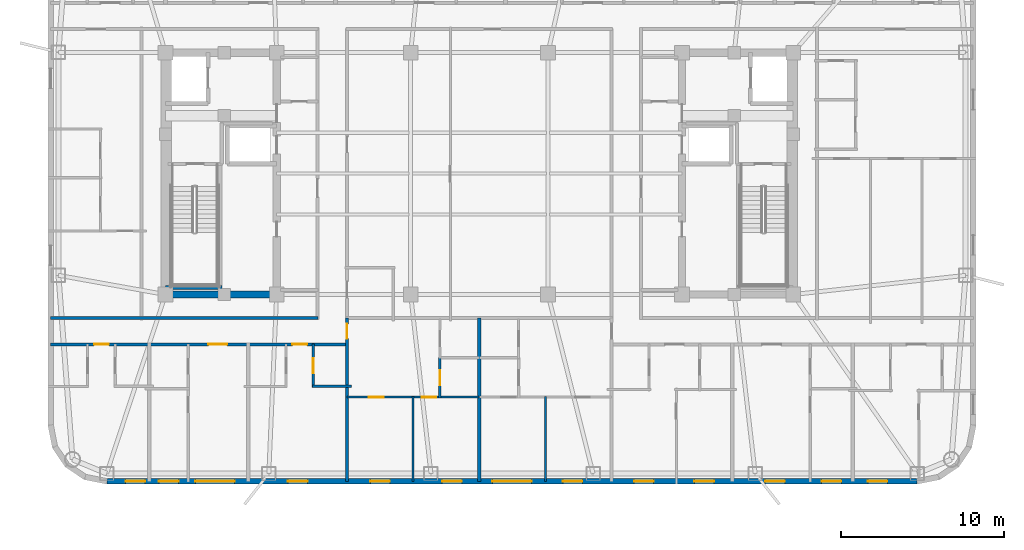
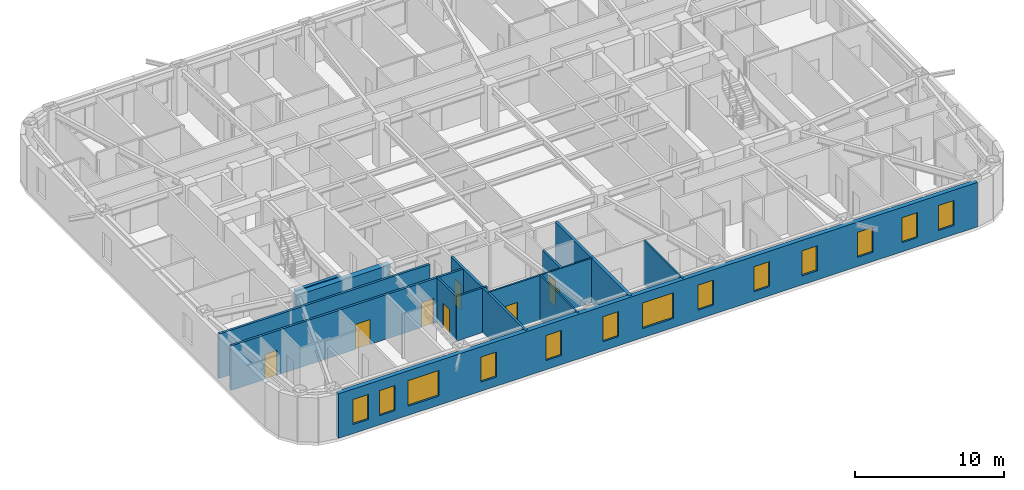
# One storey, part 3 of 11: 13 walls, 13 windows, 8 doors, 21 openings.
"""IFC4 building model written with IfcOpenShell, lengths in metres."""

from ifc_helpers import new_model, si_unit, direction, frame, frame_2d, origin, place, context, subcontext, project, spatial, rectangle, extrude, material, layer, layer_set, type_object, element, fill, save


model = new_model("IFC4")

# Units and contexts
model_context = context("Model", 3, precision=1e-05, world=origin(), true_north=direction((0.0, 1.0)))
body_context = subcontext(model_context, "Body", "Model", "MODEL_VIEW")
ifc_project = project(units=[si_unit("LENGTHUNIT", "METRE"), si_unit("AREAUNIT", "SQUARE_METRE"), si_unit("VOLUMEUNIT", "CUBIC_METRE"), si_unit("PLANEANGLEUNIT", "RADIAN"), si_unit("MASSUNIT", "GRAM", prefix="KILO")], contexts=[model_context])

# Site, building, storey
site_placement = place(None, origin())
site = spatial("IfcSite", under=ifc_project, at=site_placement, CompositionType="ELEMENT")
building_placement = place(site_placement, origin())
building = spatial("IfcBuilding", under=site, at=building_placement, Name="Voryun Gate Residences", CompositionType="ELEMENT")
storey_placement = place(building_placement, frame((0.0, 0.0, 227.5)))
storey = spatial("IfcBuildingStorey", under=building, at=storey_placement, Name="L56", CompositionType="ELEMENT", Elevation=227.5)

# Walls
ifc_material_1 = material(Name="Concrete C50/60", Category="concrete")
ifc_layer_1 = layer(ifc_material_1, 0.449951171875, Name="CW_CORE_450")
ifc_layer_set_1 = layer_set([ifc_layer_1], Name="Concrete C50/60")
wall_type_1 = type_object("IfcWallType", Name="CW_CORE_450", PredefinedType="SHEAR", material=ifc_layer_set_1)
wall_1_placement = place(storey_placement, frame((-19.425048828125, -7.39990234375, 0.0), z_axis=(0.0, 0.0, 1.0), x_axis=(1.0, 0.0, 0.0)))
element("IfcWall", 1, at=wall_1_placement, inside=storey, type_object=wall_type_1, Name="L56 Core shear wall CW-L56-WS", PredefinedType="SHEAR", context=body_context, shape_type="SweptSolid", body=[
    extrude(rectangle(XDim=7.25, YDim=0.449951171875, at=frame_2d((3.625, 0.0))), origin(), (0.0, 0.0, 1.0), 3.64990234375),
])
ifc_material_2 = material(Name="Gypsum acoustic fireboard")
ifc_layer_2 = layer(ifc_material_2, 0.179931640625, Name="W_CORR_RATED_180")
ifc_layer_set_2 = layer_set([ifc_layer_2], Name="Gypsum acoustic fireboard")
wall_type_2 = type_object("IfcWallType", Name="W_CORR_RATED_180", PredefinedType="PARTITIONING", material=ifc_layer_set_2)
wall_2_placement = place(storey_placement, frame((-26.22998046875, -8.840087890625, 0.0), z_axis=(0.0, 0.0, 1.0), x_axis=(1.0, 0.0, 0.0)))
element("IfcWall", 2, at=wall_2_placement, inside=storey, type_object=wall_type_2, Name="Partition wall WP-L56-CWING-WS", PredefinedType="PARTITIONING", context=body_context, shape_type="SweptSolid", body=[
    extrude(rectangle(XDim=16.35009765625, YDim=0.179931640625, at=frame_2d((8.175048828125, 0.0))), origin(), (0.0, 0.0, 1.0), 3.64990234375),
])

# Wall, openings, doors
wall_3_placement = place(storey_placement, frame((-26.22998046875, -10.449951171875, 0.0), z_axis=(0.0, 0.0, 1.0), x_axis=(1.0, 0.0, 0.0)))
wall_3 = element("IfcWall", 3, at=wall_3_placement, inside=storey, type_object=wall_type_2, Name="Partition wall WP-L56-SCORR-W", PredefinedType="PARTITIONING", context=body_context, shape_type="SweptSolid", body=[
    extrude(rectangle(XDim=18.14990234375, YDim=0.179931640625, at=frame_2d((9.074951171875, 0.0))), origin(), (0.0, 0.0, 1.0), 3.64990234375),
])
opening_1_placement = place(wall_3_placement, frame((2.6591796875, 0.0, 0.0)))
opening_1 = element("IfcOpeningElement", 4, at=opening_1_placement, cuts=wall_3, Name="Opening D-INT-2", PredefinedType="OPENING", context=body_context, shape_type="SweptSolid", body=[
    extrude(rectangle(XDim=0.89990234375, YDim=2.050048828125, at=frame_2d((0.449951171875, 1.02490234375))), frame((0.0, 0.099853515625, 0.0), z_axis=(0.0, -1.0, 0.0), x_axis=(1.0, 0.0, 0.0)), (0.0, 0.0, 1.0), 0.199951171875),
])
opening_2_placement = place(wall_3_placement, frame((9.654296875, 0.0, 0.0)))
opening_2 = element("IfcOpeningElement", 5, at=opening_2_placement, cuts=wall_3, Name="Opening D-UNIT-1", PredefinedType="OPENING", context=body_context, shape_type="SweptSolid", body=[
    extrude(rectangle(XDim=1.14990234375, YDim=2.050048828125, at=frame_2d((0.574951171875, 1.02490234375))), frame((0.0, 0.099853515625, 0.0), z_axis=(0.0, -1.0, 0.0), x_axis=(1.0, 0.0, 0.0)), (0.0, 0.0, 1.0), 0.199951171875),
])
opening_3_placement = place(wall_3_placement, frame((14.79248046875, 0.0, 0.0)))
opening_3 = element("IfcOpeningElement", 6, at=opening_3_placement, cuts=wall_3, Name="Opening D-INT-2", PredefinedType="OPENING", context=body_context, shape_type="SweptSolid", body=[
    extrude(rectangle(XDim=0.89990234375, YDim=2.050048828125, at=frame_2d((0.449951171875, 1.02490234375))), frame((0.0, 0.099853515625, 0.0), z_axis=(0.0, -1.0, 0.0), x_axis=(1.0, 0.0, 0.0)), (0.0, 0.0, 1.0), 0.199951171875),
])
ifc_material_3 = material(Name="Architectural oak veneer")
door_type_1 = type_object("IfcDoorType", Name="DR_INT_BATH_900", OperationType="NOTDEFINED", PredefinedType="DOOR", material=ifc_material_3)
door_1_placement = place(opening_1_placement, origin())
door_1 = element("IfcDoor", 7, at=door_1_placement, inside=storey, type_object=door_type_1, Name="Door DR-L56-SENT-1", OperationType="SINGLE_SWING_RIGHT", OverallHeight=2.050048828125, OverallWidth=0.89990234375, PredefinedType="DOOR", context=body_context, shape_type="SweptSolid", body=[
    extrude(rectangle(XDim=0.89990234375, YDim=2.050048828125, at=frame_2d((0.449951171875, 1.02490234375))), frame((0.0, 0.02490234375, 0.0), z_axis=(0.0, -1.0, 0.0), x_axis=(1.0, 0.0, 0.0)), (0.0, 0.0, 1.0), 0.050048828125),
])
fill(opening_1, door_1)
door_2_placement = place(opening_3_placement, origin())
door_2 = element("IfcDoor", 8, at=door_2_placement, inside=storey, type_object=door_type_1, Name="Door DR-L56-SENT-3", OperationType="SINGLE_SWING_RIGHT", OverallHeight=2.050048828125, OverallWidth=0.89990234375, PredefinedType="DOOR", context=body_context, shape_type="SweptSolid", body=[
    extrude(rectangle(XDim=0.89990234375, YDim=2.050048828125, at=frame_2d((0.449951171875, 1.02490234375))), frame((0.0, 0.02490234375, 0.0), z_axis=(0.0, -1.0, 0.0), x_axis=(1.0, 0.0, 0.0)), (0.0, 0.0, 1.0), 0.050048828125),
])
fill(opening_3, door_2)
ifc_material_4 = material(Name="Armoured timber-clad fire door", Category="wood")
door_type_2 = type_object("IfcDoorType", Name="DR_UNIT_ENTRY_1150", OperationType="NOTDEFINED", PredefinedType="DOOR", material=ifc_material_4)
door_3_placement = place(opening_2_placement, origin())
door_3 = element("IfcDoor", 9, at=door_3_placement, inside=storey, type_object=door_type_2, Name="Door DR-L56-SENT-2", OperationType="SINGLE_SWING_LEFT", OverallHeight=2.050048828125, OverallWidth=1.14990234375, PredefinedType="DOOR", context=body_context, shape_type="SweptSolid", body=[
    extrude(rectangle(XDim=1.14990234375, YDim=2.050048828125, at=frame_2d((0.574951171875, 1.02490234375))), frame((0.0, 0.02490234375, 0.0), z_axis=(0.0, -1.0, 0.0), x_axis=(1.0, 0.0, 0.0)), (0.0, 0.0, 1.0), 0.050048828125),
])
fill(opening_2, door_3)

# Wall, opening, door
wall_4_placement = place(storey_placement, frame((-8.10009765625, -18.830078125, 0.0), z_axis=(0.0, 0.0, 1.0), x_axis=(0.0, 1.0, 0.0)))
wall_4 = element("IfcWall", 10, at=wall_4_placement, inside=storey, type_object=wall_type_2, Name="Partition wall WP-L56-SZV-1", PredefinedType="PARTITIONING", context=body_context, shape_type="SweptSolid", body=[
    extrude(rectangle(XDim=9.989990234375, YDim=0.179931640625, at=frame_2d((4.9951171875, 0.0))), origin(), (0.0, 0.0, 1.0), 3.64990234375),
])
opening_4_placement = place(wall_4_placement, frame((8.73974609375, 0.0, 0.0)))
opening_4 = element("IfcOpeningElement", 11, at=opening_4_placement, cuts=wall_4, Name="Opening D-INT-2", PredefinedType="OPENING", context=body_context, shape_type="SweptSolid", body=[
    extrude(rectangle(XDim=0.89990234375, YDim=2.050048828125, at=frame_2d((0.449951171875, 1.02490234375))), frame((0.0, 0.099853515625, 0.0), z_axis=(0.0, -1.0, 0.0), x_axis=(1.0, 0.0, 0.0)), (0.0, 0.0, 1.0), 0.199951171875),
])
door_4_placement = place(opening_4_placement, origin())
door_4 = element("IfcDoor", 12, at=door_4_placement, inside=storey, type_object=door_type_1, Name="Door DR-L56-SZENT-1", OperationType="SINGLE_SWING_LEFT", OverallHeight=2.050048828125, OverallWidth=0.89990234375, PredefinedType="DOOR", context=body_context, shape_type="SweptSolid", body=[
    extrude(rectangle(XDim=0.89990234375, YDim=2.050048828125, at=frame_2d((0.449951171875, 1.02490234375))), frame((0.0, 0.02490234375, 0.0), z_axis=(0.0, -1.0, 0.0), x_axis=(1.0, 0.0, 0.0)), (0.0, 0.0, 1.0), 0.050048828125),
])
fill(opening_4, door_4)

# Wall, openings, windows
ifc_material_5 = material(Name="Charcoal terracotta masonry", Category="masonry")
ifc_layer_3 = layer(ifc_material_5, 0.340087890625, Name="W_EXT_TERRACOTTA_340")
ifc_layer_set_3 = layer_set([ifc_layer_3], Name="Charcoal terracotta masonry")
wall_type_3 = type_object("IfcWallType", Name="W_EXT_TERRACOTTA_340", PredefinedType="ELEMENTEDWALL", material=ifc_layer_set_3)
wall_5_placement = place(storey_placement, frame((26.783203125, -18.830078125, 0.0), z_axis=(0.0, 0.0, 1.0), x_axis=(-1.0, 0.0, 0.0)))
wall_5 = element("IfcWall", 13, at=wall_5_placement, inside=storey, type_object=wall_type_3, Name="Exterior wall WEXT-L56-01", PredefinedType="ELEMENTEDWALL", context=body_context, shape_type="SweptSolid", body=[
    extrude(rectangle(XDim=49.56640625, YDim=0.340087890625, at=frame_2d((24.783203125, 0.0))), origin(), (0.0, 0.0, 1.0), 3.64990234375),
])
opening_5_placement = place(wall_5_placement, frame((23.583251953125, 0.0, 0.75)))
opening_5 = element("IfcOpeningElement", 14, at=opening_5_placement, cuts=wall_5, Name="Opening WN2", PredefinedType="OPENING", context=body_context, shape_type="SweptSolid", body=[
    extrude(rectangle(XDim=2.39990234375, YDim=2.10009765625, at=frame_2d((1.199951171875, 1.050048828125))), frame((0.0, 0.179931640625, 0.0), z_axis=(0.0, -1.0, 0.0), x_axis=(1.0, 0.0, 0.0)), (0.0, 0.0, 1.0), 0.360107421875),
])
opening_6_placement = place(wall_5_placement, frame((41.755615234375, 0.0, 0.75)))
opening_6 = element("IfcOpeningElement", 15, at=opening_6_placement, cuts=wall_5, Name="Opening WN2", PredefinedType="OPENING", context=body_context, shape_type="SweptSolid", body=[
    extrude(rectangle(XDim=2.39990234375, YDim=2.10009765625, at=frame_2d((1.199951171875, 1.050048828125))), frame((0.0, 0.179931640625, 0.0), z_axis=(0.0, -1.0, 0.0), x_axis=(1.0, 0.0, 0.0)), (0.0, 0.0, 1.0), 0.360107421875),
])
opening_7_placement = place(wall_5_placement, frame((47.222412109375, 0.0, 0.75)))
opening_7 = element("IfcOpeningElement", 16, at=opening_7_placement, cuts=wall_5, Name="Opening WN6", PredefinedType="OPENING", context=body_context, shape_type="SweptSolid", body=[
    extrude(rectangle(XDim=1.199951171875, YDim=2.050048828125, at=frame_2d((0.60009765625, 1.02490234375))), frame((0.0, 0.179931640625, 0.0), z_axis=(0.0, -1.0, 0.0), x_axis=(1.0, 0.0, 0.0)), (0.0, 0.0, 1.0), 0.360107421875),
])
opening_8_placement = place(wall_5_placement, frame((45.181396484375, 0.0, 0.75)))
opening_8 = element("IfcOpeningElement", 17, at=opening_8_placement, cuts=wall_5, Name="Opening WN6", PredefinedType="OPENING", context=body_context, shape_type="SweptSolid", body=[
    extrude(rectangle(XDim=1.199951171875, YDim=2.050048828125, at=frame_2d((0.60009765625, 1.02490234375))), frame((0.0, 0.179931640625, 0.0), z_axis=(0.0, -1.0, 0.0), x_axis=(1.0, 0.0, 0.0)), (0.0, 0.0, 1.0), 0.360107421875),
])
opening_9_placement = place(wall_5_placement, frame((37.289306640625, 0.0, 0.75)))
opening_9 = element("IfcOpeningElement", 18, at=opening_9_placement, cuts=wall_5, Name="Opening WN6", PredefinedType="OPENING", context=body_context, shape_type="SweptSolid", body=[
    extrude(rectangle(XDim=1.199951171875, YDim=2.050048828125, at=frame_2d((0.60009765625, 1.02490234375))), frame((0.0, 0.179931640625, 0.0), z_axis=(0.0, -1.0, 0.0), x_axis=(1.0, 0.0, 0.0)), (0.0, 0.0, 1.0), 0.360107421875),
])
opening_10_placement = place(wall_5_placement, frame((16.115234375, 0.0, 0.75)))
opening_10 = element("IfcOpeningElement", 19, at=opening_10_placement, cuts=wall_5, Name="Opening WN6", PredefinedType="OPENING", context=body_context, shape_type="SweptSolid", body=[
    extrude(rectangle(XDim=1.199951171875, YDim=2.050048828125, at=frame_2d((0.60009765625, 1.02490234375))), frame((0.0, 0.179931640625, 0.0), z_axis=(0.0, -1.0, 0.0), x_axis=(1.0, 0.0, 0.0)), (0.0, 0.0, 1.0), 0.360107421875),
])
opening_11_placement = place(wall_5_placement, frame((12.42236328125, 0.0, 0.75)))
opening_11 = element("IfcOpeningElement", 20, at=opening_11_placement, cuts=wall_5, Name="Opening WN6", PredefinedType="OPENING", context=body_context, shape_type="SweptSolid", body=[
    extrude(rectangle(XDim=1.199951171875, YDim=2.050048828125, at=frame_2d((0.60009765625, 1.02490234375))), frame((0.0, 0.179931640625, 0.0), z_axis=(0.0, -1.0, 0.0), x_axis=(1.0, 0.0, 0.0)), (0.0, 0.0, 1.0), 0.360107421875),
])
opening_12_placement = place(wall_5_placement, frame((8.08984375, 0.0, 0.75)))
opening_12 = element("IfcOpeningElement", 21, at=opening_12_placement, cuts=wall_5, Name="Opening WN6", PredefinedType="OPENING", context=body_context, shape_type="SweptSolid", body=[
    extrude(rectangle(XDim=1.199951171875, YDim=2.050048828125, at=frame_2d((0.60009765625, 1.02490234375))), frame((0.0, 0.179931640625, 0.0), z_axis=(0.0, -1.0, 0.0), x_axis=(1.0, 0.0, 0.0)), (0.0, 0.0, 1.0), 0.360107421875),
])
opening_13_placement = place(wall_5_placement, frame((4.63720703125, 0.0, 0.75)))
opening_13 = element("IfcOpeningElement", 22, at=opening_13_placement, cuts=wall_5, Name="Opening WN6", PredefinedType="OPENING", context=body_context, shape_type="SweptSolid", body=[
    extrude(rectangle(XDim=1.199951171875, YDim=2.050048828125, at=frame_2d((0.60009765625, 1.02490234375))), frame((0.0, 0.179931640625, 0.0), z_axis=(0.0, -1.0, 0.0), x_axis=(1.0, 0.0, 0.0)), (0.0, 0.0, 1.0), 0.360107421875),
])
opening_14_placement = place(wall_5_placement, frame((1.81103515625, 0.0, 0.75)))
opening_14 = element("IfcOpeningElement", 23, at=opening_14_placement, cuts=wall_5, Name="Opening WN6", PredefinedType="OPENING", context=body_context, shape_type="SweptSolid", body=[
    extrude(rectangle(XDim=1.199951171875, YDim=2.050048828125, at=frame_2d((0.60009765625, 1.02490234375))), frame((0.0, 0.179931640625, 0.0), z_axis=(0.0, -1.0, 0.0), x_axis=(1.0, 0.0, 0.0)), (0.0, 0.0, 1.0), 0.360107421875),
])
opening_15_placement = place(wall_5_placement, frame((32.25341796875, 0.0, 0.75)))
opening_15 = element("IfcOpeningElement", 24, at=opening_15_placement, cuts=wall_5, Name="Opening WN6", PredefinedType="OPENING", context=body_context, shape_type="SweptSolid", body=[
    extrude(rectangle(XDim=1.199951171875, YDim=2.050048828125, at=frame_2d((0.60009765625, 1.02490234375))), frame((0.0, 0.179931640625, 0.0), z_axis=(0.0, -1.0, 0.0), x_axis=(1.0, 0.0, 0.0)), (0.0, 0.0, 1.0), 0.360107421875),
])
opening_16_placement = place(wall_5_placement, frame((27.853271484375, 0.0, 0.75)))
opening_16 = element("IfcOpeningElement", 25, at=opening_16_placement, cuts=wall_5, Name="Opening WN6", PredefinedType="OPENING", context=body_context, shape_type="SweptSolid", body=[
    extrude(rectangle(XDim=1.199951171875, YDim=2.050048828125, at=frame_2d((0.60009765625, 1.02490234375))), frame((0.0, 0.179931640625, 0.0), z_axis=(0.0, -1.0, 0.0), x_axis=(1.0, 0.0, 0.0)), (0.0, 0.0, 1.0), 0.360107421875),
])
opening_17_placement = place(wall_5_placement, frame((20.473388671875, 0.0, 0.75)))
opening_17 = element("IfcOpeningElement", 26, at=opening_17_placement, cuts=wall_5, Name="Opening WN6", PredefinedType="OPENING", context=body_context, shape_type="SweptSolid", body=[
    extrude(rectangle(XDim=1.199951171875, YDim=2.050048828125, at=frame_2d((0.60009765625, 1.02490234375))), frame((0.0, 0.179931640625, 0.0), z_axis=(0.0, -1.0, 0.0), x_axis=(1.0, 0.0, 0.0)), (0.0, 0.0, 1.0), 0.360107421875),
])
ifc_material_6 = material(Name="Laminated low-E glass", Category="glass")
window_type_1 = type_object("IfcWindowType", Name="WN_POD_SLOT_1200", PartitioningType="SINGLE_PANEL", PredefinedType="WINDOW", material=ifc_material_6)
window_1_placement = place(opening_7_placement, origin())
window_1 = element("IfcWindow", 27, at=window_1_placement, inside=storey, type_object=window_type_1, Name="Window WN-L56-DWFIX-14", OverallHeight=2.050048828125, OverallWidth=1.199951171875, PartitioningType="SINGLE_PANEL", PredefinedType="WINDOW", context=body_context, shape_type="SweptSolid", body=[
    extrude(rectangle(XDim=1.199951171875, YDim=2.050048828125, at=frame_2d((0.60009765625, 1.02490234375))), frame((0.0, 0.030029296875, 0.0), z_axis=(0.0, -1.0, 0.0), x_axis=(1.0, 0.0, 0.0)), (0.0, 0.0, 1.0), 0.06005859375),
])
fill(opening_7, window_1)
window_2_placement = place(opening_8_placement, origin())
window_2 = element("IfcWindow", 28, at=window_2_placement, inside=storey, type_object=window_type_1, Name="Window WN-L56-DWFIX-15", OverallHeight=2.050048828125, OverallWidth=1.199951171875, PartitioningType="SINGLE_PANEL", PredefinedType="WINDOW", context=body_context, shape_type="SweptSolid", body=[
    extrude(rectangle(XDim=1.199951171875, YDim=2.050048828125, at=frame_2d((0.60009765625, 1.02490234375))), frame((0.0, 0.030029296875, 0.0), z_axis=(0.0, -1.0, 0.0), x_axis=(1.0, 0.0, 0.0)), (0.0, 0.0, 1.0), 0.06005859375),
])
fill(opening_8, window_2)
window_3_placement = place(opening_9_placement, origin())
window_3 = element("IfcWindow", 29, at=window_3_placement, inside=storey, type_object=window_type_1, Name="Window WN-L56-DWFIX-16", OverallHeight=2.050048828125, OverallWidth=1.199951171875, PartitioningType="SINGLE_PANEL", PredefinedType="WINDOW", context=body_context, shape_type="SweptSolid", body=[
    extrude(rectangle(XDim=1.199951171875, YDim=2.050048828125, at=frame_2d((0.60009765625, 1.02490234375))), frame((0.0, 0.030029296875, 0.0), z_axis=(0.0, -1.0, 0.0), x_axis=(1.0, 0.0, 0.0)), (0.0, 0.0, 1.0), 0.06005859375),
])
fill(opening_9, window_3)
window_4_placement = place(opening_10_placement, origin())
window_4 = element("IfcWindow", 30, at=window_4_placement, inside=storey, type_object=window_type_1, Name="Window WN-L56-DWFIX-17", OverallHeight=2.050048828125, OverallWidth=1.199951171875, PartitioningType="SINGLE_PANEL", PredefinedType="WINDOW", context=body_context, shape_type="SweptSolid", body=[
    extrude(rectangle(XDim=1.199951171875, YDim=2.050048828125, at=frame_2d((0.60009765625, 1.02490234375))), frame((0.0, 0.030029296875, 0.0), z_axis=(0.0, -1.0, 0.0), x_axis=(1.0, 0.0, 0.0)), (0.0, 0.0, 1.0), 0.06005859375),
])
fill(opening_10, window_4)
window_5_placement = place(opening_11_placement, origin())
window_5 = element("IfcWindow", 31, at=window_5_placement, inside=storey, type_object=window_type_1, Name="Window WN-L56-DWFIX-18", OverallHeight=2.050048828125, OverallWidth=1.199951171875, PartitioningType="SINGLE_PANEL", PredefinedType="WINDOW", context=body_context, shape_type="SweptSolid", body=[
    extrude(rectangle(XDim=1.199951171875, YDim=2.050048828125, at=frame_2d((0.60009765625, 1.02490234375))), frame((0.0, 0.030029296875, 0.0), z_axis=(0.0, -1.0, 0.0), x_axis=(1.0, 0.0, 0.0)), (0.0, 0.0, 1.0), 0.06005859375),
])
fill(opening_11, window_5)
window_6_placement = place(opening_12_placement, origin())
window_6 = element("IfcWindow", 32, at=window_6_placement, inside=storey, type_object=window_type_1, Name="Window WN-L56-DWFIX-19", OverallHeight=2.050048828125, OverallWidth=1.199951171875, PartitioningType="SINGLE_PANEL", PredefinedType="WINDOW", context=body_context, shape_type="SweptSolid", body=[
    extrude(rectangle(XDim=1.199951171875, YDim=2.050048828125, at=frame_2d((0.60009765625, 1.02490234375))), frame((0.0, 0.030029296875, 0.0), z_axis=(0.0, -1.0, 0.0), x_axis=(1.0, 0.0, 0.0)), (0.0, 0.0, 1.0), 0.06005859375),
])
fill(opening_12, window_6)
window_7_placement = place(opening_13_placement, origin())
window_7 = element("IfcWindow", 33, at=window_7_placement, inside=storey, type_object=window_type_1, Name="Window WN-L56-DWFIX-20", OverallHeight=2.050048828125, OverallWidth=1.199951171875, PartitioningType="SINGLE_PANEL", PredefinedType="WINDOW", context=body_context, shape_type="SweptSolid", body=[
    extrude(rectangle(XDim=1.199951171875, YDim=2.050048828125, at=frame_2d((0.60009765625, 1.02490234375))), frame((0.0, 0.030029296875, 0.0), z_axis=(0.0, -1.0, 0.0), x_axis=(1.0, 0.0, 0.0)), (0.0, 0.0, 1.0), 0.06005859375),
])
fill(opening_13, window_7)
window_8_placement = place(opening_14_placement, origin())
window_8 = element("IfcWindow", 34, at=window_8_placement, inside=storey, type_object=window_type_1, Name="Window WN-L56-DWFIX-21", OverallHeight=2.050048828125, OverallWidth=1.199951171875, PartitioningType="SINGLE_PANEL", PredefinedType="WINDOW", context=body_context, shape_type="SweptSolid", body=[
    extrude(rectangle(XDim=1.199951171875, YDim=2.050048828125, at=frame_2d((0.60009765625, 1.02490234375))), frame((0.0, 0.030029296875, 0.0), z_axis=(0.0, -1.0, 0.0), x_axis=(1.0, 0.0, 0.0)), (0.0, 0.0, 1.0), 0.06005859375),
])
fill(opening_14, window_8)
window_9_placement = place(opening_15_placement, origin())
window_9 = element("IfcWindow", 35, at=window_9_placement, inside=storey, type_object=window_type_1, Name="Window WN-L56-DWFIX-23", OverallHeight=2.050048828125, OverallWidth=1.199951171875, PartitioningType="SINGLE_PANEL", PredefinedType="WINDOW", context=body_context, shape_type="SweptSolid", body=[
    extrude(rectangle(XDim=1.199951171875, YDim=2.050048828125, at=frame_2d((0.60009765625, 1.02490234375))), frame((0.0, 0.030029296875, 0.0), z_axis=(0.0, -1.0, 0.0), x_axis=(1.0, 0.0, 0.0)), (0.0, 0.0, 1.0), 0.06005859375),
])
fill(opening_15, window_9)
window_10_placement = place(opening_16_placement, origin())
window_10 = element("IfcWindow", 36, at=window_10_placement, inside=storey, type_object=window_type_1, Name="Window WN-L56-DWFIX-24", OverallHeight=2.050048828125, OverallWidth=1.199951171875, PartitioningType="SINGLE_PANEL", PredefinedType="WINDOW", context=body_context, shape_type="SweptSolid", body=[
    extrude(rectangle(XDim=1.199951171875, YDim=2.050048828125, at=frame_2d((0.60009765625, 1.02490234375))), frame((0.0, 0.030029296875, 0.0), z_axis=(0.0, -1.0, 0.0), x_axis=(1.0, 0.0, 0.0)), (0.0, 0.0, 1.0), 0.06005859375),
])
fill(opening_16, window_10)
window_11_placement = place(opening_17_placement, origin())
window_11 = element("IfcWindow", 37, at=window_11_placement, inside=storey, type_object=window_type_1, Name="Window WN-L56-DWFIX-25", OverallHeight=2.050048828125, OverallWidth=1.199951171875, PartitioningType="SINGLE_PANEL", PredefinedType="WINDOW", context=body_context, shape_type="SweptSolid", body=[
    extrude(rectangle(XDim=1.199951171875, YDim=2.050048828125, at=frame_2d((0.60009765625, 1.02490234375))), frame((0.0, 0.030029296875, 0.0), z_axis=(0.0, -1.0, 0.0), x_axis=(1.0, 0.0, 0.0)), (0.0, 0.0, 1.0), 0.06005859375),
])
fill(opening_17, window_11)
ifc_material_7 = material(Name="Laminated low-E glass", Category="glass")
window_type_2 = type_object("IfcWindowType", Name="WN_RES_WIDE_2400", PartitioningType="SINGLE_PANEL", PredefinedType="WINDOW", material=ifc_material_7)
window_12_placement = place(opening_5_placement, origin())
window_12 = element("IfcWindow", 38, at=window_12_placement, inside=storey, type_object=window_type_2, Name="Window WN-WEXT-L56-01-02", OverallHeight=2.10009765625, OverallWidth=2.39990234375, PartitioningType="SINGLE_PANEL", PredefinedType="WINDOW", context=body_context, shape_type="SweptSolid", body=[
    extrude(rectangle(XDim=2.39990234375, YDim=2.10009765625, at=frame_2d((1.199951171875, 1.050048828125))), frame((0.0, 0.030029296875, 0.0), z_axis=(0.0, -1.0, 0.0), x_axis=(1.0, 0.0, 0.0)), (0.0, 0.0, 1.0), 0.06005859375),
])
fill(opening_5, window_12)
window_13_placement = place(opening_6_placement, origin())
window_13 = element("IfcWindow", 39, at=window_13_placement, inside=storey, type_object=window_type_2, Name="Window WN-WEXT-L56-01-03", OverallHeight=2.10009765625, OverallWidth=2.39990234375, PartitioningType="SINGLE_PANEL", PredefinedType="WINDOW", context=body_context, shape_type="SweptSolid", body=[
    extrude(rectangle(XDim=2.39990234375, YDim=2.10009765625, at=frame_2d((1.199951171875, 1.050048828125))), frame((0.0, 0.030029296875, 0.0), z_axis=(0.0, -1.0, 0.0), x_axis=(1.0, 0.0, 0.0)), (0.0, 0.0, 1.0), 0.06005859375),
])
fill(opening_6, window_13)

# Walls
ifc_material_8 = material(Name="Concrete C40/50", Category="concrete")
ifc_layer_4 = layer(ifc_material_8, 0.219970703125, Name="W_PARTY_ACOUSTIC_220")
ifc_layer_set_4 = layer_set([ifc_layer_4], Name="Concrete C40/50")
wall_type_4 = type_object("IfcWallType", Name="W_PARTY_ACOUSTIC_220", PredefinedType="PARTITIONING", material=ifc_layer_set_4)
wall_6_placement = place(storey_placement, frame((0.0, -18.830078125, 0.0), z_axis=(0.0, 0.0, 1.0), x_axis=(0.0, 1.0, 0.0)))
element("IfcWall", 40, at=wall_6_placement, inside=storey, type_object=wall_type_4, Name="Partition wall WP-L56-SZMID", PredefinedType="PARTITIONING", context=body_context, shape_type="SweptSolid", body=[
    extrude(rectangle(XDim=9.989990234375, YDim=0.219970703125, at=frame_2d((4.9951171875, 0.0))), origin(), (0.0, 0.0, 1.0), 3.64990234375),
])
ifc_material_9 = material(Name="Concrete C50/60", Category="concrete")
ifc_layer_5 = layer(ifc_material_9, 0.25, Name="W_SHAFT_RC250")
ifc_layer_set_5 = layer_set([ifc_layer_5], Name="Concrete C50/60")
wall_type_5 = type_object("IfcWallType", Name="W_SHAFT_RC250", PredefinedType="SOLIDWALL", material=ifc_layer_set_5)
wall_7_placement = place(storey_placement, frame((-19.199951171875, -6.965087890625, 0.0), z_axis=(0.0, 0.0, 1.0), x_axis=(1.0, 0.0, 0.0)))
element("IfcWall", 41, at=wall_7_placement, inside=storey, type_object=wall_type_5, Name="L56 Stair shaft structural wall W-STS", PredefinedType="SOLIDWALL", context=body_context, shape_type="SweptSolid", body=[
    extrude(rectangle(XDim=3.4599609375, YDim=0.25, at=frame_2d((1.72998046875, 0.0))), origin(), (0.0, 0.0, 1.0), 3.64990234375),
])

# Wall, openings, doors
ifc_material_10 = material(Name="Gypsum acoustic partition")
ifc_layer_6 = layer(ifc_material_10, 0.125, Name="W_UNIT_PART_125")
ifc_layer_set_6 = layer_set([ifc_layer_6], Name="Gypsum acoustic partition")
wall_type_6 = type_object("IfcWallType", Name="W_UNIT_PART_125", PredefinedType="PARTITIONING", material=ifc_layer_set_6)
wall_8_placement = place(storey_placement, frame((-8.080078125, -13.679931640625, 0.0), z_axis=(0.0, 0.0, 1.0), x_axis=(1.0, 0.0, 0.0)))
wall_8 = element("IfcWall", 42, at=wall_8_placement, inside=storey, type_object=wall_type_6, Name="Partition wall WP-L56-SC1-HZ", PredefinedType="PARTITIONING", context=body_context, shape_type="SweptSolid", body=[
    extrude(rectangle(XDim=8.06005859375, YDim=0.125, at=frame_2d((4.030029296875, 0.0))), origin(), (0.0, 0.0, 1.0), 3.64990234375),
])
opening_18_placement = place(wall_8_placement, frame((1.3232421875, 0.0, 0.0)))
opening_18 = element("IfcOpeningElement", 43, at=opening_18_placement, cuts=wall_8, Name="Opening D-INT-2", PredefinedType="OPENING", context=body_context, shape_type="SweptSolid", body=[
    extrude(rectangle(XDim=0.89990234375, YDim=2.050048828125, at=frame_2d((0.449951171875, 1.02490234375))), frame((0.0, 0.072509765625, 0.0), z_axis=(0.0, -1.0, 0.0), x_axis=(1.0, 0.0, 0.0)), (0.0, 0.0, 1.0), 0.14501953125),
])
opening_19_placement = place(wall_8_placement, frame((4.547119140625, 0.0, 0.0)))
opening_19 = element("IfcOpeningElement", 44, at=opening_19_placement, cuts=wall_8, Name="Opening D-INT-2", PredefinedType="OPENING", context=body_context, shape_type="SweptSolid", body=[
    extrude(rectangle(XDim=0.89990234375, YDim=2.050048828125, at=frame_2d((0.449951171875, 1.02490234375))), frame((0.0, 0.072509765625, 0.0), z_axis=(0.0, -1.0, 0.0), x_axis=(1.0, 0.0, 0.0)), (0.0, 0.0, 1.0), 0.14501953125),
])
door_5_placement = place(opening_18_placement, origin())
door_5 = element("IfcDoor", 45, at=door_5_placement, inside=storey, type_object=door_type_1, Name="Door DR-L56-SC1-DMB", OperationType="SINGLE_SWING_LEFT", OverallHeight=2.050048828125, OverallWidth=0.89990234375, PredefinedType="DOOR", context=body_context, shape_type="SweptSolid", body=[
    extrude(rectangle(XDim=0.89990234375, YDim=2.050048828125, at=frame_2d((0.449951171875, 1.02490234375))), frame((0.0, 0.02490234375, 0.0), z_axis=(0.0, -1.0, 0.0), x_axis=(1.0, 0.0, 0.0)), (0.0, 0.0, 1.0), 0.050048828125),
])
fill(opening_18, door_5)
door_6_placement = place(opening_19_placement, origin())
door_6 = element("IfcDoor", 46, at=door_6_placement, inside=storey, type_object=door_type_1, Name="Door DR-L56-SC1-DBD2", OperationType="SINGLE_SWING_RIGHT", OverallHeight=2.050048828125, OverallWidth=0.89990234375, PredefinedType="DOOR", context=body_context, shape_type="SweptSolid", body=[
    extrude(rectangle(XDim=0.89990234375, YDim=2.050048828125, at=frame_2d((0.449951171875, 1.02490234375))), frame((0.0, 0.02490234375, 0.0), z_axis=(0.0, -1.0, 0.0), x_axis=(1.0, 0.0, 0.0)), (0.0, 0.0, 1.0), 0.050048828125),
])
fill(opening_19, door_6)

# Walls
for number, where, z_axis, x_axis, name in (
    (47, (-4.050048828125, -18.830078125, 0.0), (0.0, 0.0, 1.0), (0.0, 1.0, 0.0), "Partition wall WP-L56-SC1-VBD"),
    (48, (4.050048828125, -18.830078125, 0.0), (0.0, 0.0, 1.0), (0.0, 1.0, 0.0), "Partition wall WP-L56-SC2-VBD"),
):
    element("IfcWall", number, at=place(storey_placement, frame(where, z_axis=z_axis, x_axis=x_axis)), inside=storey, type_object=wall_type_6, Name=name, PredefinedType="PARTITIONING", context=body_context, shape_type="SweptSolid", body=[
        extrude(rectangle(XDim=5.190185546875, YDim=0.125, at=frame_2d((2.59521484375, 0.0))), origin(), (0.0, 0.0, 1.0), 3.64990234375),
    ])

# Wall, opening, door
ifc_material_11 = material(Name="Gypsum moisture-resistant partition")
ifc_layer_7 = layer(ifc_material_11, 0.14990234375, Name="W_WET_PLUMB_150")
ifc_layer_set_7 = layer_set([ifc_layer_7], Name="Gypsum moisture-resistant partition")
wall_type_7 = type_object("IfcWallType", Name="W_WET_PLUMB_150", PredefinedType="PLUMBINGWALL", material=ifc_layer_set_7)
wall_9_placement = place(storey_placement, frame((-10.156982421875, -13.080078125, 0.0), z_axis=(0.0, 0.0, 1.0), x_axis=(0.0, 1.0, 0.0)))
wall_9 = element("IfcWall", 49, at=wall_9_placement, inside=storey, type_object=wall_type_7, Name="Partition wall WP-L56-S3-CVB", PredefinedType="PLUMBINGWALL", context=body_context, shape_type="SweptSolid", body=[
    extrude(rectangle(XDim=2.650146484375, YDim=0.14990234375, at=frame_2d((1.3251953125, 0.0))), origin(), (0.0, 0.0, 1.0), 3.64990234375),
])
opening_20_placement = place(wall_9_placement, frame((0.875, 0.0, 0.0)))
opening_20 = element("IfcOpeningElement", 50, at=opening_20_placement, cuts=wall_9, Name="Opening D-INT-2", PredefinedType="OPENING", context=body_context, shape_type="SweptSolid", body=[
    extrude(rectangle(XDim=0.89990234375, YDim=2.050048828125, at=frame_2d((0.449951171875, 1.02490234375))), frame((0.0, 0.0849609375, 0.0), z_axis=(0.0, -1.0, 0.0), x_axis=(1.0, 0.0, 0.0)), (0.0, 0.0, 1.0), 0.169921875),
])
door_7_placement = place(opening_20_placement, origin())
door_7 = element("IfcDoor", 51, at=door_7_placement, inside=storey, type_object=door_type_1, Name="Door DR-L56-S3-DB", OperationType="SINGLE_SWING_RIGHT", OverallHeight=2.050048828125, OverallWidth=0.89990234375, PredefinedType="DOOR", context=body_context, shape_type="SweptSolid", body=[
    extrude(rectangle(XDim=0.89990234375, YDim=2.050048828125, at=frame_2d((0.449951171875, 1.02490234375))), frame((0.0, 0.02490234375, 0.0), z_axis=(0.0, -1.0, 0.0), x_axis=(1.0, 0.0, 0.0)), (0.0, 0.0, 1.0), 0.050048828125),
])
fill(opening_20, door_7)

# Wall
wall_10_placement = place(storey_placement, frame((-10.217041015625, -13.02001953125, 0.0), z_axis=(0.0, 0.0, 1.0), x_axis=(1.0, 0.0, 0.0)))
element("IfcWall", 52, at=wall_10_placement, inside=storey, type_object=wall_type_7, Name="Partition wall WP-L56-S3-CHB", PredefinedType="PLUMBINGWALL", context=body_context, shape_type="SweptSolid", body=[
    extrude(rectangle(XDim=2.39697265625, YDim=0.14990234375, at=frame_2d((1.198486328125, 0.0))), origin(), (0.0, 0.0, 1.0), 3.64990234375),
])

# Wall, opening, door
wall_11_placement = place(storey_placement, frame((-2.409912109375, -13.719970703125, 0.0), z_axis=(0.0, 0.0, 1.0), x_axis=(0.0, 1.0, 0.0)))
wall_11 = element("IfcWall", 53, at=wall_11_placement, inside=storey, type_object=wall_type_7, Name="Partition wall WP-L56-SC1-VK2", PredefinedType="PLUMBINGWALL", context=body_context, shape_type="SweptSolid", body=[
    extrude(rectangle(XDim=2.469970703125, YDim=0.14990234375, at=frame_2d((1.23486328125, 0.0))), origin(), (0.0, 0.0, 1.0), 3.64990234375),
])
opening_21_placement = place(wall_11_placement, frame((0.784912109375, 0.0, 0.0)))
opening_21 = element("IfcOpeningElement", 54, at=opening_21_placement, cuts=wall_11, Name="Opening D-INT-2", PredefinedType="OPENING", context=body_context, shape_type="SweptSolid", body=[
    extrude(rectangle(XDim=0.89990234375, YDim=2.050048828125, at=frame_2d((0.449951171875, 1.02490234375))), frame((0.0, 0.0849609375, 0.0), z_axis=(0.0, -1.0, 0.0), x_axis=(1.0, 0.0, 0.0)), (0.0, 0.0, 1.0), 0.169921875),
])
door_8_placement = place(opening_21_placement, origin())
door_8 = element("IfcDoor", 55, at=door_8_placement, inside=storey, type_object=door_type_1, Name="Door DR-L56-SC1-DB", OperationType="SINGLE_SWING_RIGHT", OverallHeight=2.050048828125, OverallWidth=0.89990234375, PredefinedType="DOOR", context=body_context, shape_type="SweptSolid", body=[
    extrude(rectangle(XDim=0.89990234375, YDim=2.050048828125, at=frame_2d((0.449951171875, 1.02490234375))), frame((0.0, 0.02490234375, 0.0), z_axis=(0.0, -1.0, 0.0), x_axis=(1.0, 0.0, 0.0)), (0.0, 0.0, 1.0), 0.050048828125),
])
fill(opening_21, door_8)

save(model, "model.ifc")
